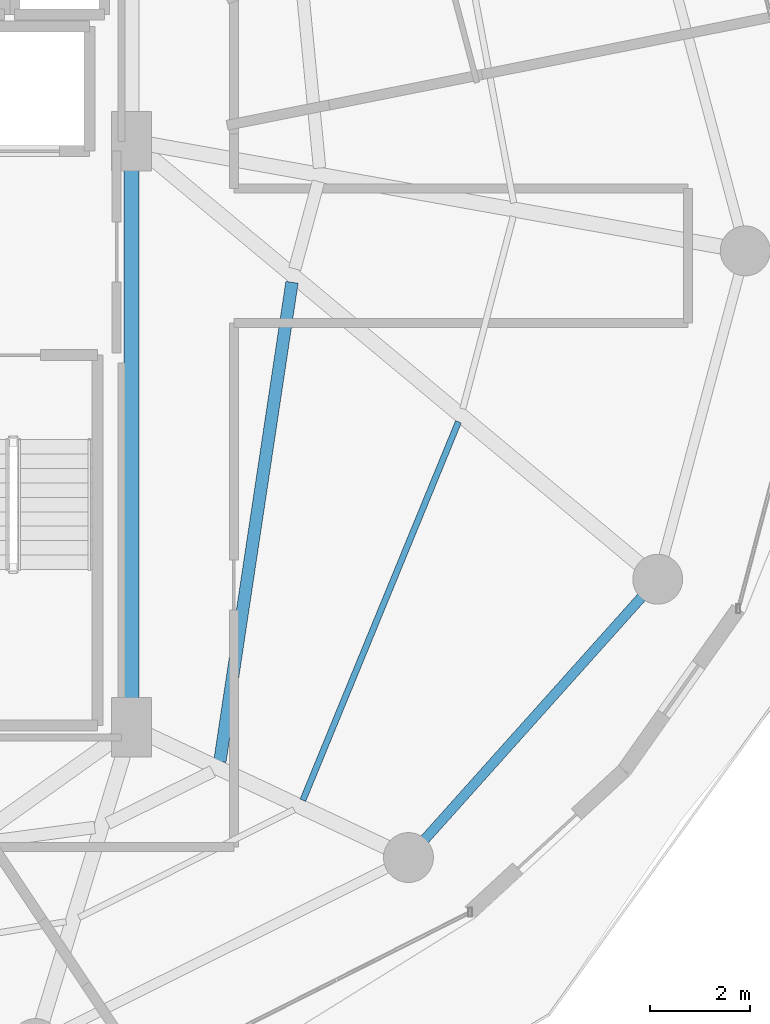
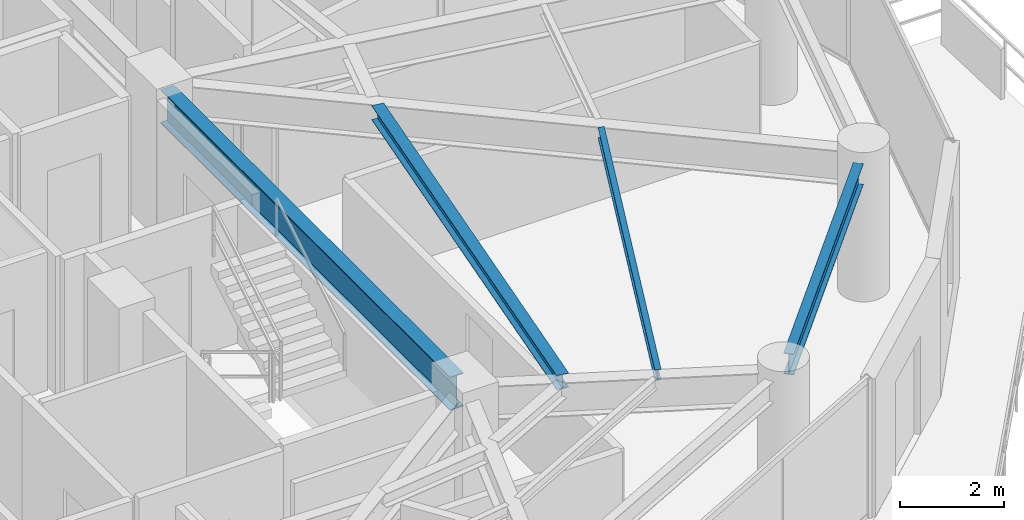
# One storey, part 12 of 30: 4 beams.
"""IFC4 building model written with IfcOpenShell, lengths in metres."""

from ifc_helpers import new_model, si_unit, direction, frame, origin, origin_2d, place, context, subcontext, project, spatial, i_section, extrude, material, material_profile, profile_set, type_object, element, save


model = new_model("IFC4")

# Units and contexts
model_context = context("Model", 3, precision=1e-05, world=origin(), true_north=direction((0.0, 1.0)))
body_context = subcontext(model_context, "Body", "Model", "MODEL_VIEW")
ifc_project = project(units=[si_unit("LENGTHUNIT", "METRE"), si_unit("AREAUNIT", "SQUARE_METRE"), si_unit("VOLUMEUNIT", "CUBIC_METRE"), si_unit("PLANEANGLEUNIT", "RADIAN"), si_unit("MASSUNIT", "GRAM", prefix="KILO")], contexts=[model_context])

# Site, building, storey
site_placement = place(None, origin())
site = spatial("IfcSite", under=ifc_project, at=site_placement, CompositionType="ELEMENT")
building_placement = place(site_placement, origin())
building = spatial("IfcBuilding", under=site, at=building_placement, Name="Vorneva Point Tower", CompositionType="ELEMENT")
storey_placement = place(building_placement, frame((0.0, 0.0, 157.10009765625)))
storey = spatial("IfcBuildingStorey", under=building, at=storey_placement, Name="L42", CompositionType="ELEMENT", Elevation=157.10009765625)

# Beams
ifc_material = material(Name="Steel S355", Category="steel")
ifc_material_profile_1 = material_profile(ifc_material, i_section(OverallWidth=0.300048828125, OverallDepth=0.7880859375, WebThickness=0.014404296875, FlangeThickness=0.02197265625, at=origin_2d()), Name="80Sh1")
ifc_profile_set_1 = profile_set([ifc_material_profile_1], Name="Steel S355")
beam_type_1 = type_object("IfcBeamType", Name="BM-GRD-80Sh1", PredefinedType="USERDEFINED", material=ifc_profile_set_1)
beam_1_placement = place(storey_placement, frame((48.75, 16.77001953125, 2.845947265625), z_axis=(0.0, 1.0, 0.0), x_axis=(-1.0, 0.0, 0.0)))
element("IfcBeam", 1, at=beam_1_placement, inside=storey, type_object=beam_type_1, Name="L42 Core Tie Girder CT3", ObjectType="GIRDER", PredefinedType="USERDEFINED", context=body_context, shape_type="SweptSolid", body=[
    extrude(i_section(OverallWidth=0.300048828125, OverallDepth=0.7880859375, WebThickness=0.014404296875, FlangeThickness=0.02197265625, at=origin_2d()), origin(), (0.0, 0.0, 1.0), 11.10986328125),
])
ifc_material_profile_2 = material_profile(ifc_material, i_section(OverallWidth=0.1240234375, OverallDepth=0.248046875, WebThickness=0.0048828125, FlangeThickness=0.008056640625, at=origin_2d()), Name="25B1")
ifc_profile_set_2 = profile_set([ifc_material_profile_2], Name="Steel S355")
beam_type_2 = type_object("IfcBeamType", Name="BM-JST-25B1", PredefinedType="JOIST", material=ifc_profile_set_2)
beam_2_placement = place(storey_placement, frame((52.181884765625, 14.98681640625, 3.115966796875), z_axis=(0.380236271938, 0.924889386631, 0.0), x_axis=(-0.924889386631, 0.380236271938, 0.0)))
element("IfcBeam", 2, at=beam_2_placement, inside=storey, type_object=beam_type_2, Name="L42 Secondary Floor Beam 1.15", PredefinedType="JOIST", context=body_context, shape_type="SweptSolid", body=[
    extrude(i_section(OverallWidth=0.1240234375, OverallDepth=0.248046875, WebThickness=0.0048828125, FlangeThickness=0.008056640625, at=origin_2d()), origin(), (0.0, 0.0, 1.0), 8.20263671875),
])
ifc_material_profile_3 = material_profile(ifc_material, i_section(OverallWidth=0.2490234375, OverallDepth=0.333984375, WebThickness=0.008056640625, FlangeThickness=0.010986328125, at=origin_2d()), Name="35Sh1")
ifc_profile_set_3 = profile_set([ifc_material_profile_3], Name="Steel S355")
beam_type_3 = type_object("IfcBeamType", Name="BM-SEC-35Sh1", PredefinedType="BEAM", material=ifc_profile_set_3)
beam_3_placement = place(storey_placement, frame((50.51806640625, 15.763916015625, 3.072998046875), z_axis=(0.148781631303, 0.988870075484, 0.0), x_axis=(-0.988870075484, 0.148781631303, 0.0)))
element("IfcBeam", 3, at=beam_3_placement, inside=storey, type_object=beam_type_3, Name="L42 Secondary Floor Beam 2.15", PredefinedType="BEAM", context=body_context, shape_type="SweptSolid", body=[
    extrude(i_section(OverallWidth=0.2490234375, OverallDepth=0.333984375, WebThickness=0.008056640625, FlangeThickness=0.010986328125, at=origin_2d()), origin(), (0.0, 0.0, 1.0), 9.71435546875),
])
ifc_material_profile_4 = material_profile(ifc_material, i_section(OverallWidth=0.199951171875, OverallDepth=0.491943359375, WebThickness=0.0087890625, FlangeThickness=0.011962890625, at=origin_2d()), Name="50B1")
ifc_profile_set_4 = profile_set([ifc_material_profile_4], Name="Steel S355")
beam_type_4 = type_object("IfcBeamType", Name="BM-SPN-50B1", PredefinedType="SPANDREL", material=ifc_profile_set_4)
beam_4_placement = place(storey_placement, frame((54.622314453125, 14.19921875, 2.993896484375), z_axis=(0.667111118975, 0.74495822362, 0.0), x_axis=(-0.74495822362, 0.667111118975, 0.0)))
element("IfcBeam", 4, at=beam_4_placement, inside=storey, type_object=beam_type_4, Name="L42 Perimeter Spandrel Ring Beam 15", PredefinedType="SPANDREL", context=body_context, shape_type="SweptSolid", body=[
    extrude(i_section(OverallWidth=0.199951171875, OverallDepth=0.491943359375, WebThickness=0.0087890625, FlangeThickness=0.011962890625, at=origin_2d()), origin(), (0.0, 0.0, 1.0), 6.52001953125),
])

save(model, "model.ifc")
